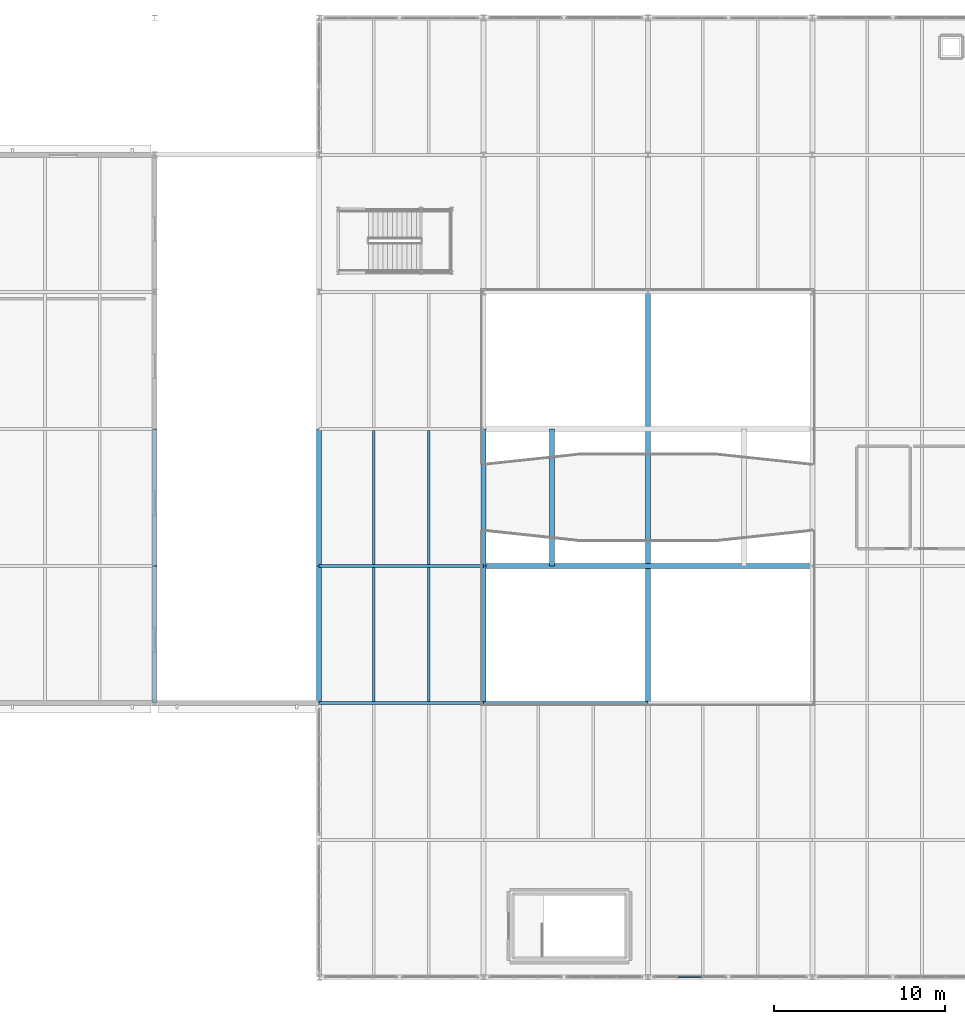
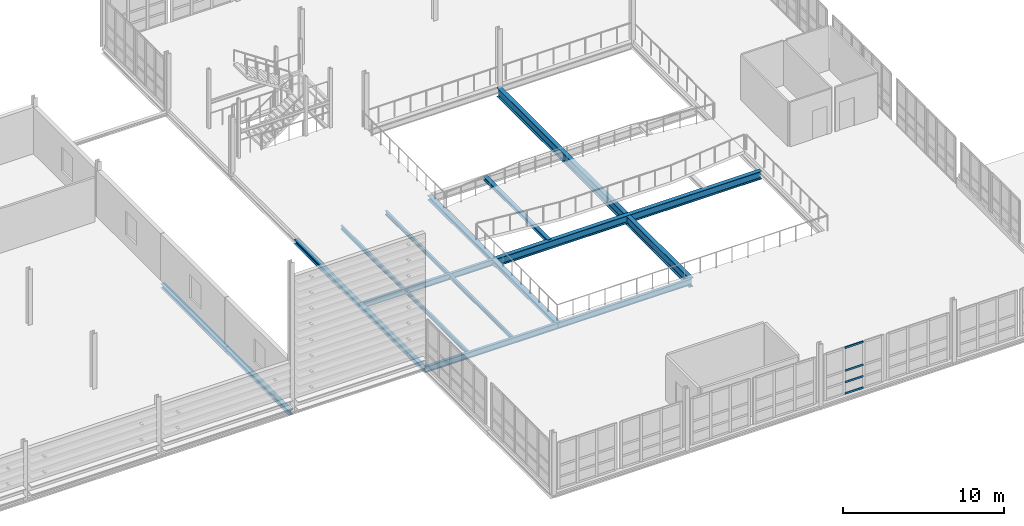
# One storey, part 26 of 73: 16 beams, 4 members, 1 element without a shape of its own.
"""IFC4 building model written with IfcOpenShell, lengths in metres."""

import ifcopenshell
import ifcopenshell.guid

model = None  # the IFC model being written
_history = None  # IfcOwnerHistory: only IFC2X3 demands one
_inside = {}  # id of a spatial element -> (the spatial element, [elements in it])
_under = {}  # id of a project, library or spatial element -> (it, [spatial elements below it])
_declared = {}  # id of a project -> (the project, [libraries it declares])
_typed = {}  # id of a type object -> (the type object, [elements of that type])
_made_of = {}  # id of a material, layer set ... -> (it, [elements and type objects made of it])


def new_model(schema):
    """Start an empty IFC model of exactly this schema.

    Asked for "IFC4X3", IfcOpenShell would pick the latest addendum, in which some entities
    have other attributes; the version numbers below select the first issue.
    IFC2X3 requires an IfcOwnerHistory on every rooted entity: one is made here for all.
    """
    global model, _history
    if schema == "IFC4X3":
        model = ifcopenshell.file(schema_version=(4, 3, 0, 0))
    else:
        model = ifcopenshell.file(schema=schema)
    _inside.clear()
    _under.clear()
    _declared.clear()
    _typed.clear()
    _made_of.clear()
    _history = None
    if model.schema == "IFC2X3":
        org = make("IfcOrganization", Name="unknown")
        user = make(
            "IfcPersonAndOrganization",
            ThePerson=make("IfcPerson", FamilyName="unknown"),
            TheOrganization=org,
        )
        app = make(
            "IfcApplication",
            ApplicationDeveloper=org,
            Version="unknown",
            ApplicationFullName="unknown",
            ApplicationIdentifier="unknown",
        )
        _history = make(
            "IfcOwnerHistory",
            OwningUser=user,
            OwningApplication=app,
            ChangeAction="ADDED",
            CreationDate=0,
        )
    return model


def make(cls, **values):
    """One entity of the class cls with the attributes given. An attribute that is None is left unset."""
    return model.create_entity(
        cls, **{name: value for name, value in values.items() if value is not None}
    )


def rooted(cls, **values):
    """An entity with a GlobalId (a new one), such as an element, a storey or a relation."""
    return make(cls, GlobalId=ifcopenshell.guid.new(), OwnerHistory=_history, **values)


def si_unit(unit_type, name, prefix=None):
    """IfcSIUnit, for example si_unit("LENGTHUNIT", "METRE", prefix="MILLI")."""
    return make("IfcSIUnit", UnitType=unit_type, Prefix=prefix, Name=name)


def assignment(units):
    """IfcUnitAssignment: the units of a project."""
    return None if units is None else make("IfcUnitAssignment", Units=units)


def point(xyz):
    """IfcCartesianPoint."""
    return None if xyz is None else make("IfcCartesianPoint", Coordinates=xyz)


def direction(xyz):
    """IfcDirection."""
    return None if xyz is None else make("IfcDirection", DirectionRatios=xyz)


def frame(location, z_axis=None, x_axis=None):
    """IfcAxis2Placement3D, a coordinate frame: its origin and axes. An axis left out is left unset."""
    return make(
        "IfcAxis2Placement3D",
        Location=point(location),
        Axis=direction(z_axis),
        RefDirection=direction(x_axis),
    )


def frame_2d(location, x_axis=None):
    """IfcAxis2Placement2D, a coordinate frame in the plane: its origin and x axis."""
    return make(
        "IfcAxis2Placement2D", Location=point(location), RefDirection=direction(x_axis)
    )


def origin():
    """The frame at (0, 0, 0) with its axes left unset."""
    return frame((0.0, 0.0, 0.0))


def origin_2d():
    """The frame at (0, 0) in the plane with its x axis left unset."""
    return frame_2d((0.0, 0.0))


def place(relative_to, where):
    """IfcLocalPlacement: puts the frame where relative to a parent placement (None: the world)."""
    return make(
        "IfcLocalPlacement", PlacementRelTo=relative_to, RelativePlacement=where
    )


def context(
    kind, dimensions, precision=None, world=None, true_north=None, identifier=None
):
    """IfcGeometricRepresentationContext, for example the 3D "Model" context."""
    return make(
        "IfcGeometricRepresentationContext",
        ContextIdentifier=identifier,
        ContextType=kind,
        CoordinateSpaceDimension=dimensions,
        Precision=precision,
        WorldCoordinateSystem=world,
        TrueNorth=true_north,
    )


def subcontext(parent, identifier, kind, view, scale=None):
    """IfcGeometricRepresentationSubContext, for example "Body" below "Model"."""
    return make(
        "IfcGeometricRepresentationSubContext",
        ContextIdentifier=identifier,
        ContextType=kind,
        ParentContext=parent,
        TargetScale=scale,
        TargetView=view,
    )


def project(units=None, contexts=None):
    """IfcProject with its units and contexts."""
    return rooted(
        "IfcProject",
        Name="project",
        RepresentationContexts=contexts,
        UnitsInContext=assignment(units),
    )


def spatial(cls, under=None, at=None, **own):
    """A site, building, storey or space (cls), placed at a placement, below another one or the project."""
    s = rooted(cls, ObjectPlacement=at, **own)
    if under is not None:
        _under.setdefault(under.id(), (under, []))[1].append(s)
    return s


def profile(cls, at=None, kind="AREA", **sizes):
    """A parametric profile (cls). Its sizes go by their IFC names, for example OverallWidth=200.0."""
    return make(cls, ProfileType=kind, Position=at, **sizes)


def rectangle(**sizes):
    """IfcRectangleProfileDef."""
    return profile("IfcRectangleProfileDef", **sizes)


def i_section(**sizes):
    """IfcIShapeProfileDef."""
    return profile("IfcIShapeProfileDef", **sizes)


def extrude(swept, where, along, depth):
    """IfcExtrudedAreaSolid: the profile swept, set in the frame where, extruded along a direction by depth."""
    return make(
        "IfcExtrudedAreaSolid",
        SweptArea=swept,
        Position=where,
        ExtrudedDirection=direction(along),
        Depth=depth,
    )


def shape(context_of_items, identifier, shape_type, items):
    """IfcShapeRepresentation: the items that make up one representation, for example the "Body"."""
    return make(
        "IfcShapeRepresentation",
        ContextOfItems=context_of_items,
        RepresentationIdentifier=identifier,
        RepresentationType=shape_type,
        Items=items,
    )


def material(Name=None, Category=None):
    """IfcMaterial."""
    return make("IfcMaterial", Name=Name, Category=Category)


def layer(
    of_material, thickness, ventilated=None, Name=None, Category=None, Priority=None
):
    """IfcMaterialLayer: one layer of a wall or slab, of a material (None: an air gap)."""
    return make(
        "IfcMaterialLayer",
        Material=of_material,
        LayerThickness=thickness,
        IsVentilated=ventilated,
        Name=Name,
        Category=Category,
        Priority=Priority,
    )


def layer_set(layers, Name=None):
    """IfcMaterialLayerSet."""
    return make("IfcMaterialLayerSet", MaterialLayers=layers, LayerSetName=Name)


def material_profile(
    of_material, cross_section, Name=None, Category=None, Priority=None
):
    """IfcMaterialProfile: a cross section and its material."""
    return make(
        "IfcMaterialProfile",
        Name=Name,
        Material=of_material,
        Profile=cross_section,
        Priority=Priority,
        Category=Category,
    )


def profile_set(profiles, Name=None, composite=None):
    """IfcMaterialProfileSet."""
    return make(
        "IfcMaterialProfileSet",
        Name=Name,
        MaterialProfiles=profiles,
        CompositeProfile=composite,
    )


def made_of(thing, what):
    """Note that an element or type object is made of a material, layer set ...; save() writes the relation."""
    if what is not None:
        _made_of.setdefault(what.id(), (what, []))[1].append(thing)
    return thing


def type_object(cls, material=None, **own):
    """A type object (cls), such as IfcWallType, which elements share."""
    return made_of(rooted(cls, **own), material)


def element(
    cls,
    number,
    at=None,
    inside=None,
    cuts=None,
    type_object=None,
    material=None,
    context=None,
    identifier="Body",
    shape_type=None,
    held_by="IfcProductDefinitionShape",
    body=None,
    shapes=None,
    **own,
):
    """One element of the class cls, such as IfcWall. Its Tag is "e" and its number.

    at: its placement. inside: the storey or other place that contains it. cuts: it is an
    opening in that element (IfcRelVoidsElement). A single representation is given by context,
    identifier, shape_type and body (its items); several are given by shapes. held_by: the class
    of the entity that holds the representations. save() writes the other relations.
    """
    e = rooted(cls, Tag="e%d" % number, ObjectPlacement=at, **own)
    if body is not None:
        shapes = [shape(context, identifier, shape_type, body)]
    if shapes is not None:
        e.Representation = make(held_by, Representations=shapes)
    if inside is not None:
        _inside.setdefault(inside.id(), (inside, []))[1].append(e)
    if cuts is not None:
        rooted(
            "IfcRelVoidsElement", RelatingBuildingElement=cuts, RelatedOpeningElement=e
        )
    if type_object is not None:
        _typed.setdefault(type_object.id(), (type_object, []))[1].append(e)
    return made_of(e, material)


def aggregate(whole, parts):
    """IfcRelAggregates: a whole, such as a stair, and the parts it consists of."""
    return rooted("IfcRelAggregates", RelatingObject=whole, RelatedObjects=parts)


def save(model, path):
    """Write the relations noted so far, then the file.

    IfcRelAggregates (storeys below a building ...), IfcRelContainedInSpatialStructure (elements
    in a storey), IfcRelDefinesByType, IfcRelAssociatesMaterial and IfcRelDeclares: one each for
    every whole, place, type object, material and project.
    """
    for whole, parts in _under.values():
        aggregate(whole, parts)
    for where, things in _inside.values():
        rooted(
            "IfcRelContainedInSpatialStructure",
            RelatedElements=things,
            RelatingStructure=where,
        )
    for kind, things in _typed.values():
        rooted("IfcRelDefinesByType", RelatedObjects=things, RelatingType=kind)
    for what, things in _made_of.values():
        rooted("IfcRelAssociatesMaterial", RelatedObjects=things, RelatingMaterial=what)
    for by, libraries in _declared.values():
        rooted("IfcRelDeclares", RelatingContext=by, RelatedDefinitions=libraries)
    model.write(path)


model = new_model("IFC4")

# Units and contexts
model_context = context("Model", 3, precision=1e-05, world=origin(), true_north=direction((0.0, 1.0)))
body_context = subcontext(model_context, "Body", "Model", "MODEL_VIEW")
ifc_project = project(units=[si_unit("LENGTHUNIT", "METRE"), si_unit("AREAUNIT", "SQUARE_METRE"), si_unit("VOLUMEUNIT", "CUBIC_METRE"), si_unit("PLANEANGLEUNIT", "RADIAN"), si_unit("MASSUNIT", "GRAM", prefix="KILO")], contexts=[model_context])

# Site, building, storey
site_placement = place(None, origin())
site = spatial("IfcSite", under=ifc_project, at=site_placement, CompositionType="ELEMENT")
building_placement = place(site_placement, origin())
building = spatial("IfcBuilding", under=site, at=building_placement, Name="Alderhovde Museum", CompositionType="ELEMENT")
storey_placement = place(building_placement, frame((0.0, 0.0, 12.89990234375)))
storey = spatial("IfcBuildingStorey", under=building, at=storey_placement, Name="L03", CompositionType="ELEMENT", Elevation=12.89990234375)

# Beams
ifc_material_1 = material(Name="Steel S355J2", Category="steel")
ifc_material_profile_1 = material_profile(ifc_material_1, i_section(OverallWidth=0.280029296875, OverallDepth=0.27001953125, WebThickness=0.008056640625, FlangeThickness=0.012939453125, FilletRadius=0.02392578125, at=origin_2d()), Name="HEA 280")
ifc_profile_set_1 = profile_set([ifc_material_profile_1], Name="Steel S355J2")
beam_type_1 = type_object("IfcBeamType", Name="BM-HEA280", PredefinedType="BEAM", material=ifc_profile_set_1)
beam_1_placement = place(storey_placement, frame((90.39990234375, 56.0, -0.35498046875), z_axis=(0.0, 1.0, 0.0), x_axis=(-1.0, 0.0, 0.0)))
element("IfcBeam", 1, at=beam_1_placement, inside=storey, type_object=beam_type_1, Name="L03 Atrium Bridge Bearer X=90.4", PredefinedType="BEAM", context=body_context, shape_type="SweptSolid", body=[
    extrude(i_section(OverallWidth=0.280029296875, OverallDepth=0.27001953125, WebThickness=0.008056640625, FlangeThickness=0.012939453125, FilletRadius=0.02392578125, at=origin_2d()), origin(), (0.0, 0.0, 1.0), 8.0),
])
ifc_material_2 = material(Name="Steel S355J2", Category="steel")
ifc_material_profile_2 = material_profile(ifc_material_2, i_section(OverallWidth=0.300048828125, OverallDepth=0.330078125, WebThickness=0.009521484375, FlangeThickness=0.0166015625, FilletRadius=0.027099609375, at=origin_2d()), Name="HEA 340")
ifc_profile_set_2 = profile_set([ifc_material_profile_2], Name="Steel S355J2")
beam_type_2 = type_object("IfcBeamType", Name="BM-HEA340", PredefinedType="BEAM", material=ifc_profile_set_2)
for number, where, z_axis, x_axis, name in (
    (2, (67.199951171875, 48.0, -0.4248046875), (0.0, 1.0, 0.0), (-1.0, 0.0, 0.0), "L03 Grid Beam X=67.2 (48.0 TO 56.0)"),
    (3, (67.199951171875, 56.0, -0.4248046875), (0.0, 1.0, 0.0), (-1.0, 0.0, 0.0), "L03 Grid Beam X=67.2 (56.0 TO 64.0)"),
    (4, (76.800048828125, 48.0, -0.4248046875), (0.0, 1.0, 0.0), (-1.0, 0.0, 0.0), "L03 Grid Beam X=76.8 (48.0 TO 56.0)"),
    (5, (76.800048828125, 56.0, -0.4248046875), (0.0, 1.0, 0.0), (-1.0, 0.0, 0.0), "L03 Grid Beam X=76.8 (56.0 TO 64.0)"),
    (6, (86.39990234375, 48.0, -0.4248046875), (0.0, 1.0, 0.0), (-1.0, 0.0, 0.0), "L03 Grid Beam X=86.4 (48.0 TO 56.0)"),
    (7, (86.39990234375, 56.0, -0.4248046875), (0.0, 1.0, 0.0), (-1.0, 0.0, 0.0), "L03 Grid Beam X=86.4 (56.0 TO 64.0)"),
):
    element("IfcBeam", number, at=place(storey_placement, frame(where, z_axis=z_axis, x_axis=x_axis)), inside=storey, type_object=beam_type_2, Name=name, PredefinedType="BEAM", context=body_context, shape_type="SweptSolid", body=[
        extrude(i_section(OverallWidth=0.300048828125, OverallDepth=0.330078125, WebThickness=0.009521484375, FlangeThickness=0.0166015625, FilletRadius=0.027099609375, at=origin_2d()), origin(), (0.0, 0.0, 1.0), 8.0),
    ])
ifc_material_3 = material(Name="Steel S355J2", Category="steel")
ifc_material_profile_3 = material_profile(ifc_material_3, i_section(OverallWidth=0.300048828125, OverallDepth=0.60009765625, WebThickness=0.015380859375, FlangeThickness=0.030029296875, FilletRadius=0.027099609375, at=origin_2d()), Name="HEB 600")
ifc_profile_set_3 = profile_set([ifc_material_profile_3], Name="Steel S355J2")
beam_type_3 = type_object("IfcBeamType", Name="BM-HEB600", PredefinedType="BEAM", material=ifc_profile_set_3)
beam_2_placement = place(storey_placement, frame((86.39990234375, 56.0, -0.559814453125), z_axis=(1.0, 0.0, 0.0), x_axis=(0.0, 1.0, 0.0)))
element("IfcBeam", 8, at=beam_2_placement, inside=storey, type_object=beam_type_3, Name="L03 Grid Beam Y=56.0 (86.4 TO 105.6)", PredefinedType="BEAM", context=body_context, shape_type="SweptSolid", body=[
    extrude(i_section(OverallWidth=0.300048828125, OverallDepth=0.60009765625, WebThickness=0.015380859375, FlangeThickness=0.030029296875, FilletRadius=0.027099609375, at=origin_2d()), origin(), (0.0, 0.0, 1.0), 19.2001953125),
])
ifc_material_4 = material(Name="Steel S355J2", Category="steel")
ifc_material_profile_4 = material_profile(ifc_material_4, i_section(OverallWidth=0.300048828125, OverallDepth=0.699951171875, WebThickness=0.01708984375, FlangeThickness=0.031982421875, FilletRadius=0.027099609375, at=origin_2d()), Name="HEB 700")
ifc_profile_set_4 = profile_set([ifc_material_profile_4], Name="Steel S355J2")
beam_type_4 = type_object("IfcBeamType", Name="BM-HEB700", PredefinedType="BEAM", material=ifc_profile_set_4)
beam_3_placement = place(storey_placement, frame((96.0, 48.0, -0.60986328125), z_axis=(0.0, 1.0, 0.0), x_axis=(-1.0, 0.0, 0.0)))
element("IfcBeam", 9, at=beam_3_placement, inside=storey, type_object=beam_type_4, Name="L03 Grid Beam X=96.0 (48.0 TO 72.0)", PredefinedType="BEAM", context=body_context, shape_type="SweptSolid", body=[
    extrude(i_section(OverallWidth=0.300048828125, OverallDepth=0.699951171875, WebThickness=0.01708984375, FlangeThickness=0.031982421875, FilletRadius=0.027099609375, at=origin_2d()), origin(), (0.0, 0.0, 1.0), 24.0),
])
ifc_material_5 = material(Name="Steel S355J2", Category="steel")
ifc_material_profile_5 = material_profile(ifc_material_5, i_section(OverallWidth=0.18994140625, OverallDepth=0.449951171875, WebThickness=0.009521484375, FlangeThickness=0.0146484375, FilletRadius=0.02099609375, at=origin_2d()), Name="IPE 450")
ifc_profile_set_5 = profile_set([ifc_material_profile_5], Name="Steel S355J2")
beam_type_5 = type_object("IfcBeamType", Name="BM-IPE450", PredefinedType="BEAM", material=ifc_profile_set_5)
beam_4_placement = place(storey_placement, frame((76.800048828125, 48.0, -0.48486328125), z_axis=(1.0, 0.0, 0.0), x_axis=(0.0, 1.0, 0.0)))
element("IfcBeam", 10, at=beam_4_placement, inside=storey, type_object=beam_type_5, Name="L03 Grid Beam Y=48.0 (76.8 TO 86.4)", PredefinedType="BEAM", context=body_context, shape_type="SweptSolid", body=[
    extrude(i_section(OverallWidth=0.18994140625, OverallDepth=0.449951171875, WebThickness=0.009521484375, FlangeThickness=0.0146484375, FilletRadius=0.02099609375, at=origin_2d()), origin(), (0.0, 0.0, 1.0), 9.599853515625),
])
beam_5_placement = place(storey_placement, frame((86.39990234375, 48.0, -0.48486328125), z_axis=(1.0, 0.0, 0.0), x_axis=(0.0, 1.0, 0.0)))
element("IfcBeam", 11, at=beam_5_placement, inside=storey, type_object=beam_type_5, Name="L03 Grid Beam Y=48.0 (86.4 TO 96.0)", PredefinedType="BEAM", context=body_context, shape_type="SweptSolid", body=[
    extrude(i_section(OverallWidth=0.18994140625, OverallDepth=0.449951171875, WebThickness=0.009521484375, FlangeThickness=0.0146484375, FilletRadius=0.02099609375, at=origin_2d()), origin(), (0.0, 0.0, 1.0), 9.60009765625),
])
beam_6_placement = place(storey_placement, frame((76.800048828125, 56.0, -0.48486328125), z_axis=(1.0, 0.0, 0.0), x_axis=(0.0, 1.0, 0.0)))
element("IfcBeam", 12, at=beam_6_placement, inside=storey, type_object=beam_type_5, Name="L03 Grid Beam Y=56.0 (76.8 TO 86.4)", PredefinedType="BEAM", context=body_context, shape_type="SweptSolid", body=[
    extrude(i_section(OverallWidth=0.18994140625, OverallDepth=0.449951171875, WebThickness=0.009521484375, FlangeThickness=0.0146484375, FilletRadius=0.02099609375, at=origin_2d()), origin(), (0.0, 0.0, 1.0), 9.599853515625),
])

# Curtain wall, members
ifc_material_6 = material(Name="Triple-Glazed Bronze-Anodised Curtain Wall", Category="glass")
ifc_layer = layer(ifc_material_6, 0.179931640625)
ifc_layer_set = layer_set([ifc_layer], Name="Triple-Glazed Bronze-Anodised Curtain Wall")
curtain_wall_type = type_object("IfcCurtainWallType", Name="CW-UNIT-420x354", PredefinedType="USERDEFINED", material=ifc_layer_set)
curtain_wall_placement = place(storey_placement, origin())
curtain_wall = element("IfcCurtainWall", 13, at=curtain_wall_placement, inside=storey, type_object=curtain_wall_type, Name="L03 Unitised Curtain Wall 60", ObjectType="UNITISED CURTAIN WALL", PredefinedType="USERDEFINED")
ifc_material_7 = material(Name="Bronze-Anodised Aluminium EN AW-6063-T6", Category="aluminium")
ifc_material_profile_6 = material_profile(ifc_material_7, rectangle(XDim=0.06494140625, YDim=0.139892578125, at=origin_2d()), Name="TRANSOM 65x140")
ifc_profile_set_6 = profile_set([ifc_material_profile_6], Name="Bronze-Anodised Aluminium EN AW-6063-T6")
member_type = type_object("IfcMemberType", Name="CWT-65x140", PredefinedType="USERDEFINED", material=ifc_profile_set_6)
member_1_placement = place(storey_placement, frame((97.782470703125, 32.0, 0.03271484375), z_axis=(1.0, 0.0, 0.0), x_axis=(0.0, 1.0, 0.0)))
member_1 = element("IfcMember", 14, at=member_1_placement, type_object=member_type, Name="CW15 transom 2.1", ObjectType="TRANSOM", PredefinedType="USERDEFINED", context=body_context, shape_type="SweptSolid", body=[
    extrude(rectangle(XDim=0.06494140625, YDim=0.139892578125, at=origin_2d()), origin(), (0.0, 0.0, 1.0), 1.3349609375),
])
member_2_placement = place(storey_placement, frame((97.782470703125, 32.0, 0.900146484375), z_axis=(1.0, 0.0, 0.0), x_axis=(0.0, 1.0, 0.0)))
member_2 = element("IfcMember", 15, at=member_2_placement, type_object=member_type, Name="CW15 transom 2.2", ObjectType="TRANSOM", PredefinedType="USERDEFINED", context=body_context, shape_type="SweptSolid", body=[
    extrude(rectangle(XDim=0.06494140625, YDim=0.139892578125, at=origin_2d()), origin(), (0.0, 0.0, 1.0), 1.3349609375),
])
member_3_placement = place(storey_placement, frame((97.782470703125, 32.0, 1.77001953125), z_axis=(1.0, 0.0, 0.0), x_axis=(0.0, 1.0, 0.0)))
member_3 = element("IfcMember", 16, at=member_3_placement, type_object=member_type, Name="CW15 transom 2.3", ObjectType="TRANSOM", PredefinedType="USERDEFINED", context=body_context, shape_type="SweptSolid", body=[
    extrude(rectangle(XDim=0.06494140625, YDim=0.139892578125, at=origin_2d()), origin(), (0.0, 0.0, 1.0), 1.3349609375),
])
member_4_placement = place(storey_placement, frame((97.782470703125, 32.0, 3.507568359375), z_axis=(1.0, 0.0, 0.0), x_axis=(0.0, 1.0, 0.0)))
member_4 = element("IfcMember", 17, at=member_4_placement, type_object=member_type, Name="CW15 transom 2.4", ObjectType="TRANSOM", PredefinedType="USERDEFINED", context=body_context, shape_type="SweptSolid", body=[
    extrude(rectangle(XDim=0.06494140625, YDim=0.139892578125, at=origin_2d()), origin(), (0.0, 0.0, 1.0), 1.3349609375),
])
aggregate(curtain_wall, [member_1, member_2, member_3, member_4])

# Beams
ifc_material_8 = material(Name="Steel S355J2", Category="steel")
ifc_material_profile_7 = material_profile(ifc_material_8, i_section(OverallWidth=0.14990234375, OverallDepth=0.300048828125, WebThickness=0.007080078125, FlangeThickness=0.0107421875, FilletRadius=0.014892578125, at=origin_2d()), Name="IPE 300")
ifc_profile_set_7 = profile_set([ifc_material_profile_7], Name="Steel S355J2")
beam_type_6 = type_object("IfcBeamType", Name="JST-IPE300", PredefinedType="JOIST", material=ifc_profile_set_7)
for number, where, z_axis, x_axis, name in (
    (18, (80.0, 48.094970703125, -0.409912109375), (0.0, 1.0, 0.0), (-1.0, 0.0, 0.0), "L03 Composite Joist X=80.0 (48.0 TO 56.0)"),
    (19, (83.199951171875, 48.094970703125, -0.409912109375), (0.0, 1.0, 0.0), (-1.0, 0.0, 0.0), "L03 Composite Joist X=83.2 (48.0 TO 56.0)"),
    (20, (80.0, 56.094970703125, -0.409912109375), (0.0, 1.0, 0.0), (-1.0, 0.0, 0.0), "L03 Composite Joist X=80.0 (56.0 TO 64.0)"),
    (21, (83.199951171875, 56.094970703125, -0.409912109375), (0.0, 1.0, 0.0), (-1.0, 0.0, 0.0), "L03 Composite Joist X=83.2 (56.0 TO 64.0)"),
):
    element("IfcBeam", number, at=place(storey_placement, frame(where, z_axis=z_axis, x_axis=x_axis)), inside=storey, type_object=beam_type_6, Name=name, PredefinedType="JOIST", context=body_context, shape_type="SweptSolid", body=[
        extrude(i_section(OverallWidth=0.14990234375, OverallDepth=0.300048828125, WebThickness=0.007080078125, FlangeThickness=0.0107421875, FilletRadius=0.014892578125, at=origin_2d()), origin(), (0.0, 0.0, 1.0), 7.81005859375),
    ])

save(model, "model.ifc")
